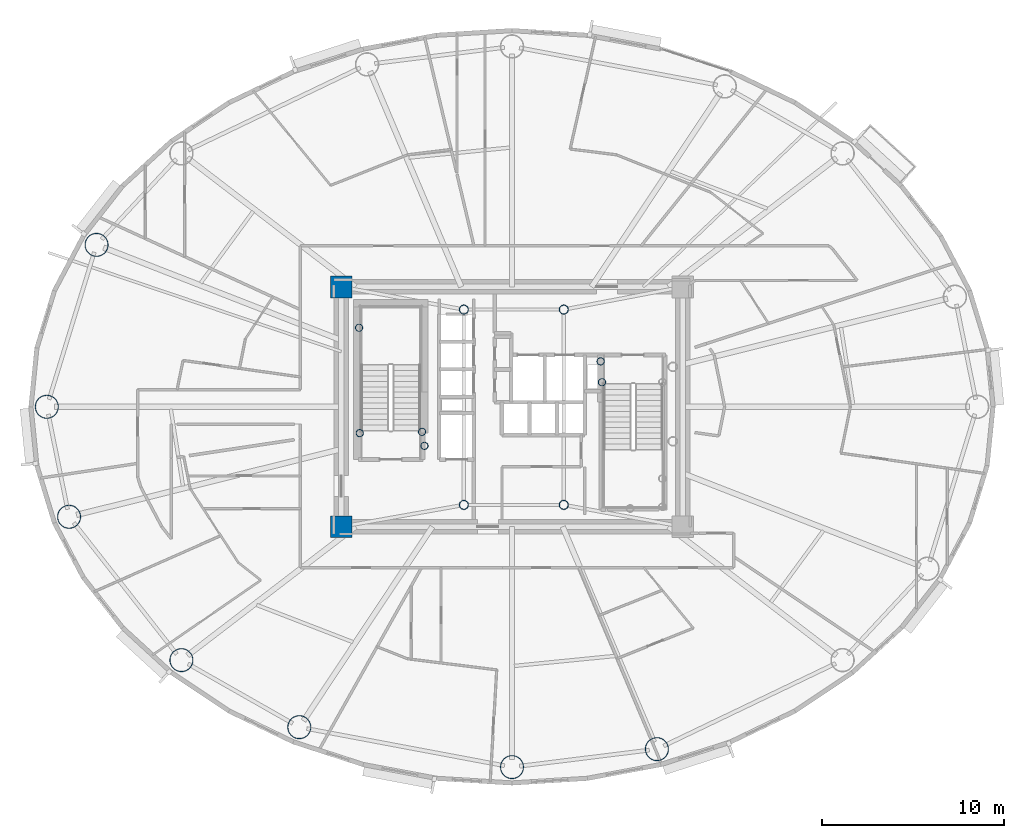
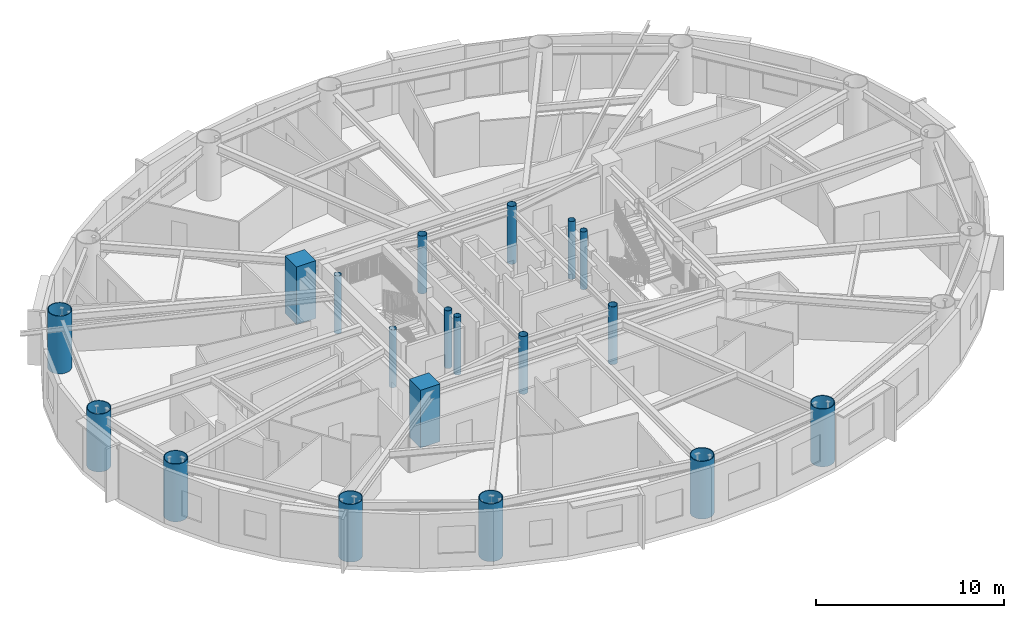
# One storey, part 1 of 18: 19 columns.
"""IFC4 building model written with IfcOpenShell, lengths in metres."""

from ifc_helpers import new_model, si_unit, direction, frame, origin, origin_2d, place, context, subcontext, project, spatial, rectangle, hollow_circle, extrude, material, material_profile, profile_set, type_object, element, save


model = new_model("IFC4")

# Units and contexts
model_context = context("Model", 3, precision=1e-05, world=origin(), true_north=direction((0.0, 1.0)))
body_context = subcontext(model_context, "Body", "Model", "MODEL_VIEW")
ifc_project = project(units=[si_unit("LENGTHUNIT", "METRE"), si_unit("AREAUNIT", "SQUARE_METRE"), si_unit("VOLUMEUNIT", "CUBIC_METRE"), si_unit("PLANEANGLEUNIT", "RADIAN"), si_unit("MASSUNIT", "GRAM", prefix="KILO")], contexts=[model_context])

# Site, building, storey
site_placement = place(None, origin())
site = spatial("IfcSite", under=ifc_project, at=site_placement, CompositionType="ELEMENT")
building_placement = place(site_placement, origin())
building = spatial("IfcBuilding", under=site, at=building_placement, Name="Linh Dai School and Residence Tower", CompositionType="ELEMENT")
storey_placement = place(building_placement, frame((0.0, 0.0, 159.89990234375)))
storey = spatial("IfcBuildingStorey", under=building, at=storey_placement, Name="L38", CompositionType="ELEMENT", Elevation=159.89990234375)

# Columns
ifc_material_1 = material(Name="Concrete B60 (C50/60)", Category="concrete")
ifc_material_profile_1 = material_profile(ifc_material_1, rectangle(XDim=1.199951171875, YDim=1.199951171875, at=origin_2d()), Name="RC 1200x1200")
ifc_profile_set_1 = profile_set([ifc_material_profile_1], Name="Concrete B60 (C50/60)")
column_type_1 = type_object("IfcColumnType", Name="COL-CC2", PredefinedType="COLUMN", material=ifc_profile_set_1)
for number, where, z_axis, x_axis, name in (
    (1, (26.60009765625, 20.39990234375, 0.0), (0.0, 0.0, 1.0), (1.0, 0.0, 0.0), "L38 Core Corner Pier CC1"),
    (2, (26.60009765625, 33.60009765625, 0.0), (0.0, 0.0, 1.0), (1.0, 0.0, 0.0), "L38 Core Corner Pier CC4"),
):
    element("IfcColumn", number, at=place(storey_placement, frame(where, z_axis=z_axis, x_axis=x_axis)), inside=storey, type_object=column_type_1, Name=name, PredefinedType="COLUMN", context=body_context, shape_type="SweptSolid", body=[
        extrude(rectangle(XDim=1.199951171875, YDim=1.199951171875, at=origin_2d()), origin(), (0.0, 0.0, 1.0), 3.75),
    ])
ifc_material_2 = material(Name="Structural Steel S355JR", Category="steel")
ifc_material_profile_2 = material_profile(ifc_material_2, hollow_circle(Radius=0.203125, WallThickness=0.01611328125, at=origin_2d()), Name="CHS 406.4x16")
ifc_profile_set_2 = profile_set([ifc_material_profile_2], Name="Structural Steel S355JR")
column_type_2 = type_object("IfcColumnType", Name="COL-EC", PredefinedType="COLUMN", material=ifc_profile_set_2)
for number, where, z_axis, x_axis, name in (
    (3, (27.580078125, 31.35009765625, 0.0), (0.0, 0.0, 1.0), (1.0, 0.0, 0.0), "L38 Stair Shaft Landing Support Pier ST1NW"),
    (4, (31.050048828125, 25.6201171875, 0.0), (0.0, 0.0, 1.0), (1.0, 0.0, 0.0), "L38 Stair Shaft Landing Support Pier ST1SE"),
    (5, (31.179931640625, 24.85009765625, 0.0), (0.0, 0.0, 1.0), (1.0, 0.0, 0.0), "L38 Stair Shaft Landing Support Pier ST1SM"),
    (6, (27.6201171875, 25.550048828125, 0.0), (0.0, 0.0, 1.0), (1.0, 0.0, 0.0), "L38 Stair Shaft Landing Support Pier ST1SW"),
    (7, (40.949951171875, 28.35009765625, 0.0), (0.0, 0.0, 1.0), (1.0, 0.0, 0.0), "L38 Stair Shaft Landing Support Pier ST2N1"),
    (8, (40.8798828125, 29.5, 0.0), (0.0, 0.0, 1.0), (1.0, 0.0, 0.0), "L38 Stair Shaft Landing Support Pier ST2N3"),
):
    element("IfcColumn", number, at=place(storey_placement, frame(where, z_axis=z_axis, x_axis=x_axis)), inside=storey, type_object=column_type_2, Name=name, PredefinedType="COLUMN", context=body_context, shape_type="SweptSolid", body=[
        extrude(hollow_circle(Radius=0.203125, WallThickness=0.01611328125, at=origin_2d()), origin(), (0.0, 0.0, 1.0), 3.75),
    ])
ifc_material_profile_3 = material_profile(ifc_material_2, hollow_circle(Radius=0.64990234375, WallThickness=0.0400390625, at=origin_2d()), Name="CHS 1300x40")
ifc_profile_set_3 = profile_set([ifc_material_profile_3], Name="Structural Steel S355JR")
column_type_3 = type_object("IfcColumnType", Name="COL-MC4", PredefinedType="COLUMN", material=ifc_profile_set_3)
for number, where, z_axis, x_axis, name in (
    (9, (13.137451171875, 35.9111328125, 0.0), (0.0, 0.0, 1.0), (1.0, 0.0, 0.0), "L38 Perimeter CFT Mega-Column MC08"),
    (10, (10.39990234375, 27.0, 0.0), (0.0, 0.0, 1.0), (1.0, 0.0, 0.0), "L38 Perimeter CFT Mega-Column MC09"),
    (11, (11.62548828125, 20.946533203125, 0.0), (0.0, 0.0, 1.0), (1.0, 0.0, 0.0), "L38 Perimeter CFT Mega-Column MC10"),
    (12, (17.8076171875, 13.058349609375, 0.0), (0.0, 0.0, 1.0), (1.0, 0.0, 0.0), "L38 Perimeter CFT Mega-Column MC11"),
    (13, (24.29443359375, 9.369140625, 0.0), (0.0, 0.0, 1.0), (1.0, 0.0, 0.0), "L38 Perimeter CFT Mega-Column MC12"),
    (14, (36.0, 7.169921875, 0.0), (0.0, 0.0, 1.0), (1.0, 0.0, 0.0), "L38 Perimeter CFT Mega-Column MC13"),
    (15, (43.973388671875, 8.15869140625, 0.0), (0.0, 0.0, 1.0), (1.0, 0.0, 0.0), "L38 Perimeter CFT Mega-Column MC14"),
):
    element("IfcColumn", number, at=place(storey_placement, frame(where, z_axis=z_axis, x_axis=x_axis)), inside=storey, type_object=column_type_3, Name=name, PredefinedType="COLUMN", context=body_context, shape_type="SweptSolid", body=[
        extrude(hollow_circle(Radius=0.64990234375, WallThickness=0.0400390625, at=origin_2d()), origin(), (0.0, 0.0, 1.0), 3.75),
    ])
ifc_material_profile_4 = material_profile(ifc_material_2, hollow_circle(Radius=0.25390625, WallThickness=0.02001953125, at=origin_2d()), Name="CHS 508x20")
ifc_profile_set_4 = profile_set([ifc_material_profile_4], Name="Structural Steel S355JR")
column_type_4 = type_object("IfcColumnType", Name="COL-MCP", PredefinedType="COLUMN", material=ifc_profile_set_4)
for number, where, z_axis, x_axis, name in (
    (16, (33.35009765625, 21.60009765625, 0.0), (0.0, 0.0, 1.0), (1.0, 0.0, 0.0), "L38 Core Mast Support Pier MCP1"),
    (17, (38.85009765625, 21.60009765625, 0.0), (0.0, 0.0, 1.0), (1.0, 0.0, 0.0), "L38 Core Mast Support Pier MCP2"),
    (18, (38.85009765625, 32.35009765625, 0.0), (0.0, 0.0, 1.0), (1.0, 0.0, 0.0), "L38 Core Mast Support Pier MCP3"),
    (19, (33.35009765625, 32.35009765625, 0.0), (0.0, 0.0, 1.0), (1.0, 0.0, 0.0), "L38 Core Mast Support Pier MCP4"),
):
    element("IfcColumn", number, at=place(storey_placement, frame(where, z_axis=z_axis, x_axis=x_axis)), inside=storey, type_object=column_type_4, Name=name, PredefinedType="COLUMN", context=body_context, shape_type="SweptSolid", body=[
        extrude(hollow_circle(Radius=0.25390625, WallThickness=0.02001953125, at=origin_2d()), origin(), (0.0, 0.0, 1.0), 3.75),
    ])

save(model, "model.ifc")
